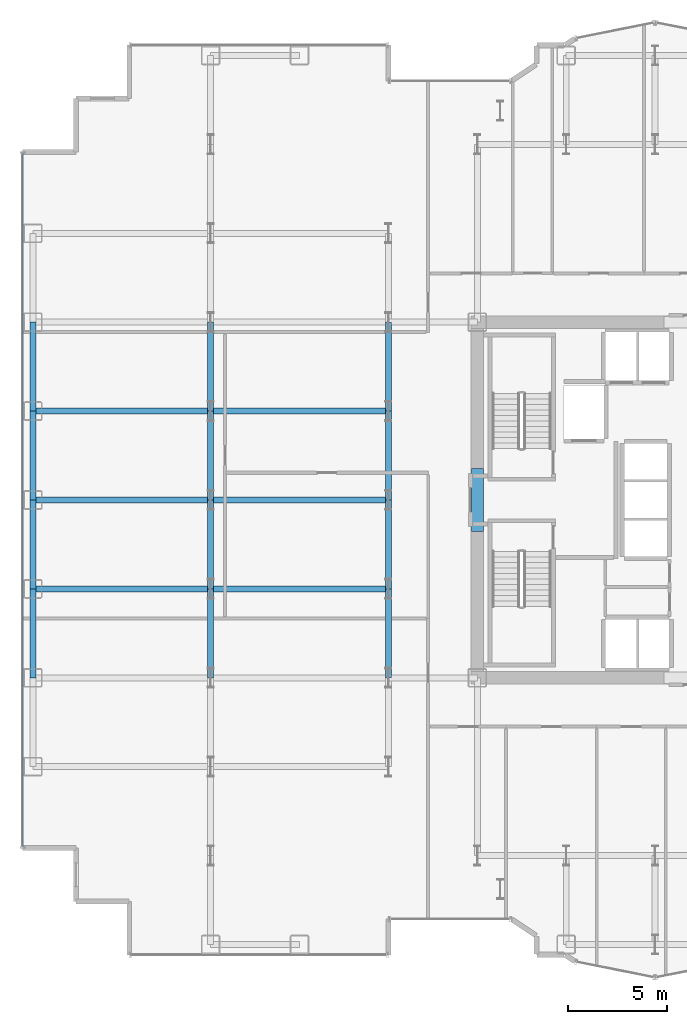
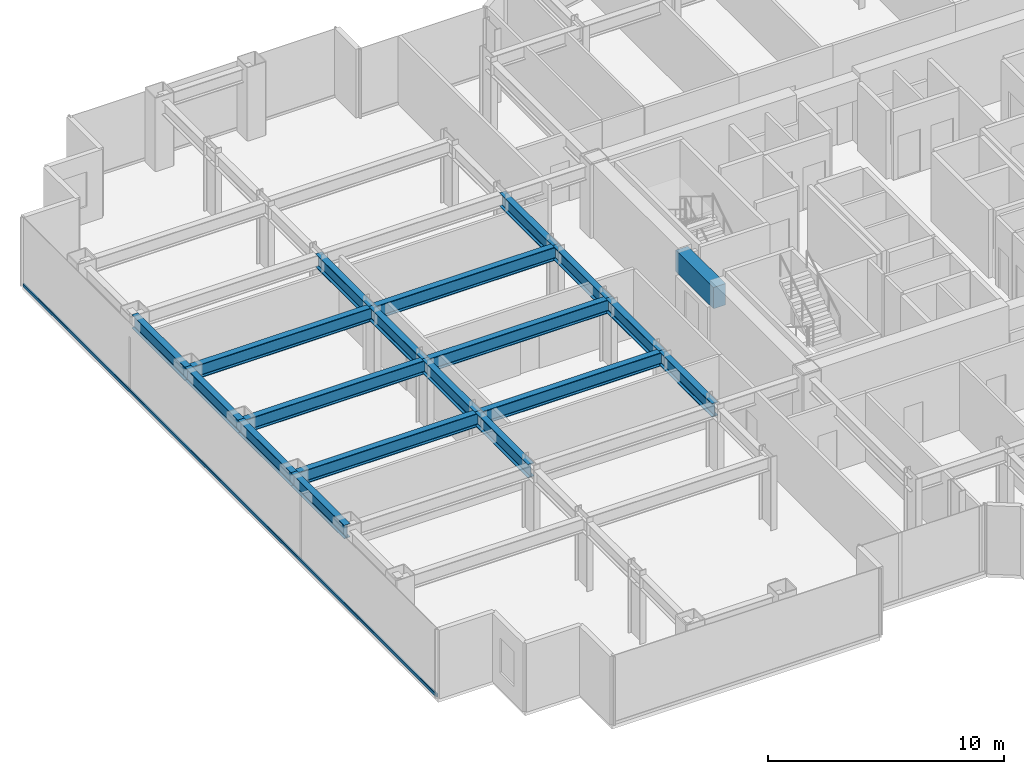
# One storey, part 5 of 26: 19 beams, 1 member, 1 element without a shape of its own.
"""IFC4 building model written with IfcOpenShell, lengths in metres."""

from ifc_helpers import new_model, si_unit, direction, frame, origin, origin_2d, place, context, subcontext, project, spatial, rectangle, hollow_rectangle, i_section, extrude, source, transform, mapped, material, layer, layer_set, material_profile, profile_set, type_object, element, aggregate, save


model = new_model("IFC4")

# Units and contexts
model_context = context("Model", 3, precision=1e-05, world=origin(), true_north=direction((0.0, 1.0)))
body_context = subcontext(model_context, "Body", "Model", "MODEL_VIEW")
ifc_project = project(units=[si_unit("LENGTHUNIT", "METRE"), si_unit("AREAUNIT", "SQUARE_METRE"), si_unit("VOLUMEUNIT", "CUBIC_METRE"), si_unit("PLANEANGLEUNIT", "RADIAN"), si_unit("MASSUNIT", "GRAM", prefix="KILO")], contexts=[model_context])

# Site, building, storey
site_placement = place(None, origin())
site = spatial("IfcSite", under=ifc_project, at=site_placement, CompositionType="ELEMENT")
building_placement = place(site_placement, origin())
building = spatial("IfcBuilding", under=site, at=building_placement, Name="Nefas-Gora Pilgrimage Tower", CompositionType="ELEMENT")
storey_placement = place(building_placement, frame((0.0, 0.0, 59.60009765625)))
storey = spatial("IfcBuildingStorey", under=building, at=storey_placement, Name="L13", CompositionType="ELEMENT", Elevation=59.60009765625)

# Beams
ifc_material_1 = material(Name="Concrete C60/75", Category="concrete")
ifc_material_profile_1 = material_profile(ifc_material_1, rectangle(XDim=0.60009765625, YDim=1.10009765625, at=origin_2d()), Name="RC 600x1100")
ifc_profile_set_1 = profile_set([ifc_material_profile_1], Name="Concrete C60/75")
beam_type_1 = type_object("IfcBeamType", Name="BM-LIN-RC1100", PredefinedType="LINTEL", material=ifc_profile_set_1)
shared_shape_1 = source(origin(), body_context, "Body", "SweptSolid", [
    extrude(rectangle(XDim=0.60009765625, YDim=1.10009765625, at=origin_2d()), origin(), (0.0, 0.0, 1.0), 3.2001953125),
])
beam_placement = place(storey_placement, frame((-11.25, -1.60009765625, 3.0), z_axis=(0.0, 1.0, 0.0), x_axis=(-1.0, 0.0, 0.0)))
element("IfcBeam", 1, at=beam_placement, inside=storey, type_object=beam_type_1, Name="L13 Core Coupling Lintel Beam W", PredefinedType="LINTEL", context=body_context, shape_type="MappedRepresentation", body=[
    mapped(shared_shape_1, transform((0.0, 0.0, 0.0), x_axis=(1.0, 0.0, 0.0), y_axis=(0.0, 1.0, 0.0), z_axis=(0.0, 0.0, 1.0), scale=1.0)),
])
ifc_material_2 = material(Name="Steel S355", Category="steel")
ifc_material_profile_2 = material_profile(ifc_material_2, i_section(OverallWidth=0.300048828125, OverallDepth=0.699951171875, WebThickness=0.01708984375, FlangeThickness=0.031982421875, FilletRadius=0.027099609375, at=origin_2d()), Name="HEB 700")
ifc_profile_set_2 = profile_set([ifc_material_profile_2], Name="Steel S355")
beam_type_2 = type_object("IfcBeamType", Name="BM-SPN-HEB600", PredefinedType="SPANDREL", material=ifc_profile_set_2)
shared_shape_2 = source(origin(), body_context, "Body", "SweptSolid", [
    extrude(i_section(OverallWidth=0.300048828125, OverallDepth=0.699951171875, WebThickness=0.01708984375, FlangeThickness=0.031982421875, FilletRadius=0.027099609375, at=origin_2d()), origin(), (0.0, 0.0, 1.0), 4.5),
])
for number, where, z_axis, x_axis, name in (
    (2, (-33.75, -9.0, 3.199951171875), (0.0, 1.0, 0.0), (-1.0, 0.0, 0.0), "L13 SP-01 beam"),
    (3, (-33.75, -4.5, 3.199951171875), (0.0, 1.0, 0.0), (-1.0, 0.0, 0.0), "L13 SP-01 beam"),
    (4, (-33.75, 0.0, 3.199951171875), (0.0, 1.0, 0.0), (-1.0, 0.0, 0.0), "L13 SP-01 beam"),
    (5, (-33.75, 4.5, 3.199951171875), (0.0, 1.0, 0.0), (-1.0, 0.0, 0.0), "L13 SP-01 beam"),
):
    element("IfcBeam", number, at=place(storey_placement, frame(where, z_axis=z_axis, x_axis=x_axis)), inside=storey, type_object=beam_type_2, Name=name, PredefinedType="SPANDREL", context=body_context, shape_type="MappedRepresentation", body=[
        mapped(shared_shape_2, transform((0.0, 0.0, 0.0), x_axis=(1.0, 0.0, 0.0), y_axis=(0.0, 1.0, 0.0), z_axis=(0.0, 0.0, 1.0), scale=1.0)),
    ])
ifc_material_profile_3 = material_profile(ifc_material_2, i_section(OverallWidth=0.300048828125, OverallDepth=0.699951171875, WebThickness=0.01708984375, FlangeThickness=0.031982421875, FilletRadius=0.027099609375, at=origin_2d()), Name="HEB 700")
ifc_profile_set_3 = profile_set([ifc_material_profile_3], Name="Steel S355")
beam_type_3 = type_object("IfcBeamType", Name="BM-GIR-HEB700", PredefinedType="BEAM", material=ifc_profile_set_3)
shared_shape_3 = source(origin(), body_context, "Body", "SweptSolid", [
    extrude(i_section(OverallWidth=0.300048828125, OverallDepth=0.699951171875, WebThickness=0.01708984375, FlangeThickness=0.031982421875, FilletRadius=0.027099609375, at=origin_2d()), origin(), (0.0, 0.0, 1.0), 9.0),
])
for number, where, z_axis, x_axis, name in (
    (6, (-33.75, -4.5, 3.199951171875), (1.0, 0.0, 0.0), (0.0, 1.0, 0.0), "L13 G-02 beam"),
    (7, (-33.75, 0.0, 3.199951171875), (1.0, 0.0, 0.0), (0.0, 1.0, 0.0), "L13 G-02 beam"),
    (8, (-33.75, 4.5, 3.199951171875), (1.0, 0.0, 0.0), (0.0, 1.0, 0.0), "L13 G-02 beam"),
    (9, (-24.75, -4.5, 3.199951171875), (1.0, 0.0, 0.0), (0.0, 1.0, 0.0), "L13 G-02 beam"),
    (10, (-24.75, 0.0, 3.199951171875), (1.0, 0.0, 0.0), (0.0, 1.0, 0.0), "L13 G-02 beam"),
    (11, (-24.75, 4.5, 3.199951171875), (1.0, 0.0, 0.0), (0.0, 1.0, 0.0), "L13 G-02 beam"),
):
    element("IfcBeam", number, at=place(storey_placement, frame(where, z_axis=z_axis, x_axis=x_axis)), inside=storey, type_object=beam_type_3, Name=name, PredefinedType="BEAM", context=body_context, shape_type="MappedRepresentation", body=[
        mapped(shared_shape_3, transform((0.0, 0.0, 0.0), x_axis=(1.0, 0.0, 0.0), y_axis=(0.0, 1.0, 0.0), z_axis=(0.0, 0.0, 1.0), scale=1.0)),
    ])
shared_shape_4 = source(origin(), body_context, "Body", "SweptSolid", [
    extrude(i_section(OverallWidth=0.300048828125, OverallDepth=0.699951171875, WebThickness=0.01708984375, FlangeThickness=0.031982421875, FilletRadius=0.027099609375, at=origin_2d()), origin(), (0.0, 0.0, 1.0), 4.5),
])
for number, where, z_axis, x_axis, name in (
    (12, (-24.75, -9.0, 3.199951171875), (0.0, 1.0, 0.0), (-1.0, 0.0, 0.0), "L13 G-02 beam"),
    (13, (-24.75, -4.5, 3.199951171875), (0.0, 1.0, 0.0), (-1.0, 0.0, 0.0), "L13 G-02 beam"),
    (14, (-24.75, 0.0, 3.199951171875), (0.0, 1.0, 0.0), (-1.0, 0.0, 0.0), "L13 G-02 beam"),
    (15, (-24.75, 4.5, 3.199951171875), (0.0, 1.0, 0.0), (-1.0, 0.0, 0.0), "L13 G-02 beam"),
    (16, (-15.75, -9.0, 3.199951171875), (0.0, 1.0, 0.0), (-1.0, 0.0, 0.0), "L13 G-02 beam"),
    (17, (-15.75, -4.5, 3.199951171875), (0.0, 1.0, 0.0), (-1.0, 0.0, 0.0), "L13 G-02 beam"),
    (18, (-15.75, 0.0, 3.199951171875), (0.0, 1.0, 0.0), (-1.0, 0.0, 0.0), "L13 G-02 beam"),
    (19, (-15.75, 4.5, 3.199951171875), (0.0, 1.0, 0.0), (-1.0, 0.0, 0.0), "L13 G-02 beam"),
):
    element("IfcBeam", number, at=place(storey_placement, frame(where, z_axis=z_axis, x_axis=x_axis)), inside=storey, type_object=beam_type_3, Name=name, PredefinedType="BEAM", context=body_context, shape_type="MappedRepresentation", body=[
        mapped(shared_shape_4, transform((0.0, 0.0, 0.0), x_axis=(1.0, 0.0, 0.0), y_axis=(0.0, 1.0, 0.0), z_axis=(0.0, 0.0, 1.0), scale=1.0)),
    ])

# Curtain wall, member
ifc_material_3 = material(Name="Dark ceramic-fritted solar-control aluminium-glass curtain wall", Category="aluminium")
ifc_layer = layer(ifc_material_3, 0.219970703125)
ifc_layer_set = layer_set([ifc_layer], Name="Dark ceramic-fritted solar-control aluminium-glass curtain wall")
curtain_wall_type = type_object("IfcCurtainWallType", Name="CW-SYS-2", PredefinedType="NOTDEFINED", material=ifc_layer_set)
curtain_wall_placement = place(storey_placement, origin())
curtain_wall = element("IfcCurtainWall", 20, at=curtain_wall_placement, inside=storey, type_object=curtain_wall_type, Name="L13 Unitised Curtain Wall CW2", PredefinedType="NOTDEFINED")
ifc_material_4 = material(Name="Anodised architectural aluminium", Category="aluminium")
ifc_material_profile_4 = material_profile(ifc_material_4, hollow_rectangle(XDim=0.080078125, YDim=0.159912109375, WallThickness=0.00439453125, InnerFilletRadius=0.00439453125, OuterFilletRadius=0.009033203125, at=origin_2d()), Name="ALU TRANSOM 80x160")
ifc_profile_set_4 = profile_set([ifc_material_profile_4], Name="Anodised architectural aluminium")
member_type = type_object("IfcMemberType", Name="CWM-TRN-2", PredefinedType="USERDEFINED", material=ifc_profile_set_4)
shared_shape_5 = source(origin(), body_context, "Body", "SweptSolid", [
    extrude(hollow_rectangle(XDim=0.080078125, YDim=0.159912109375, WallThickness=0.00439453125, InnerFilletRadius=0.00439453125, OuterFilletRadius=0.009033203125, at=origin_2d()), origin(), (0.0, 0.0, 1.0), 35.06005859375),
])
member_placement = place(storey_placement, frame((-34.27001953125, 17.530029296875, 0.0498046875), z_axis=(0.0, -1.0, 0.0), x_axis=(1.0, 0.0, 0.0)))
member = element("IfcMember", 21, at=member_placement, type_object=member_type, Name="CW2 Spandrel Transom", ObjectType="TRANSOM", PredefinedType="USERDEFINED", context=body_context, shape_type="MappedRepresentation", body=[
    mapped(shared_shape_5, transform((0.0, 0.0, 0.0), x_axis=(1.0, 0.0, 0.0), y_axis=(0.0, 1.0, 0.0), z_axis=(0.0, 0.0, 1.0), scale=1.0)),
])
aggregate(curtain_wall, [member])

save(model, "model.ifc")
